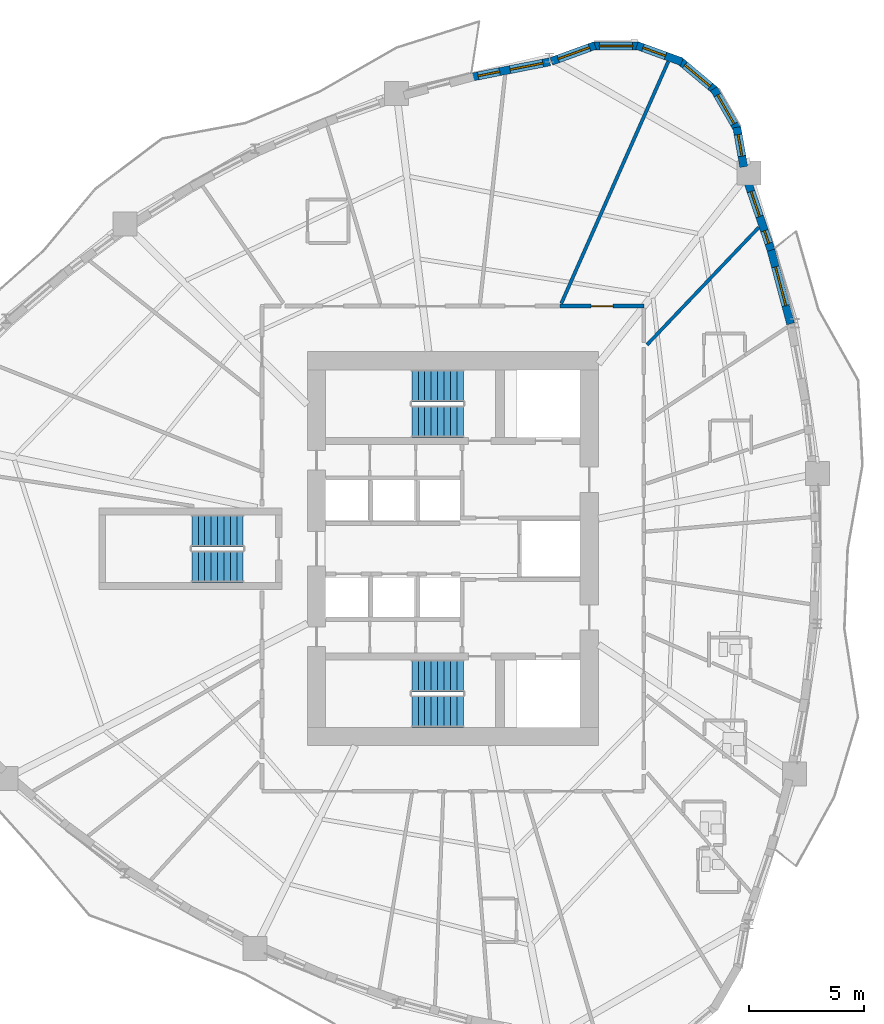
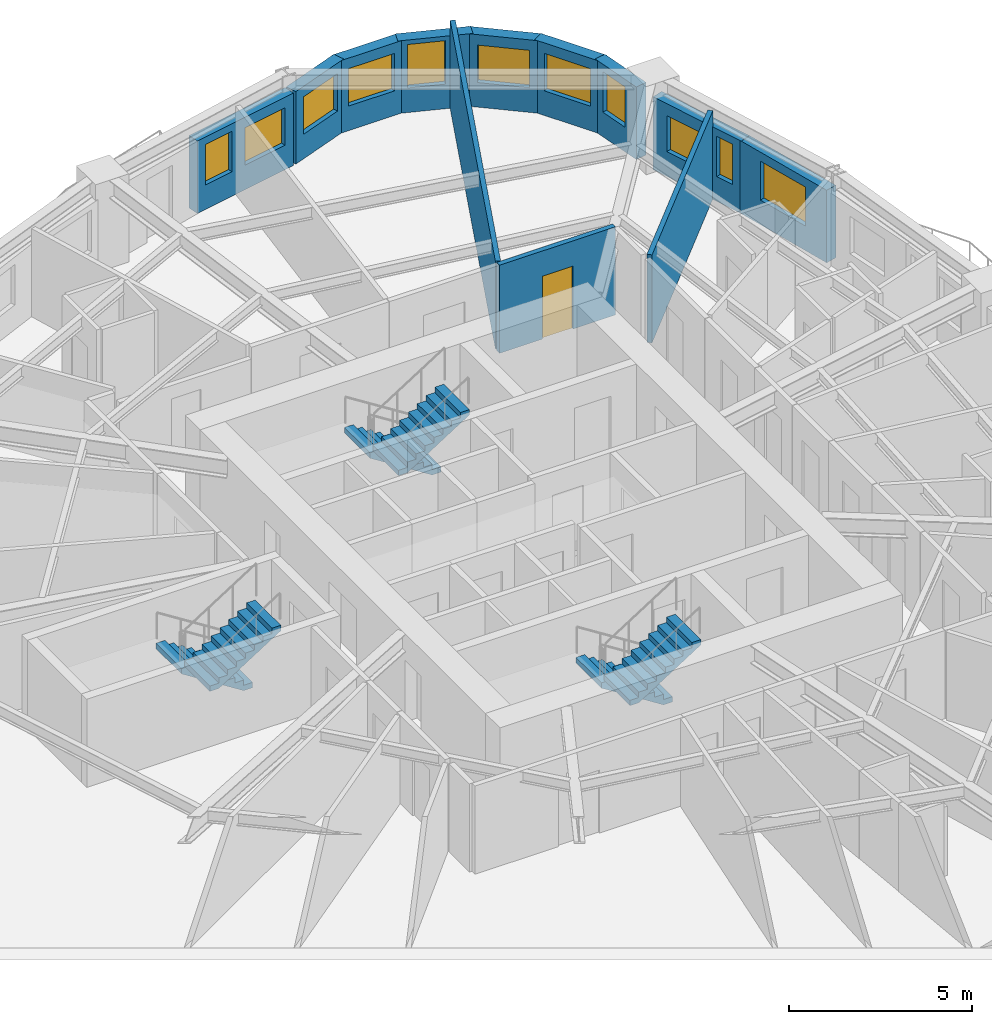
# One storey, part 9 of 13: 12 walls, 11 windows, 6 stair flights, 1 door, 12 openings, 3 elements without a shape of their own.
"""IFC4 building model written with IfcOpenShell, lengths in metres."""

import ifcopenshell
import ifcopenshell.guid

model = None  # the IFC model being written
_history = None  # IfcOwnerHistory: only IFC2X3 demands one
_inside = {}  # id of a spatial element -> (the spatial element, [elements in it])
_under = {}  # id of a project, library or spatial element -> (it, [spatial elements below it])
_declared = {}  # id of a project -> (the project, [libraries it declares])
_typed = {}  # id of a type object -> (the type object, [elements of that type])
_made_of = {}  # id of a material, layer set ... -> (it, [elements and type objects made of it])


def new_model(schema):
    """Start an empty IFC model of exactly this schema.

    Asked for "IFC4X3", IfcOpenShell would pick the latest addendum, in which some entities
    have other attributes; the version numbers below select the first issue.
    IFC2X3 requires an IfcOwnerHistory on every rooted entity: one is made here for all.
    """
    global model, _history
    if schema == "IFC4X3":
        model = ifcopenshell.file(schema_version=(4, 3, 0, 0))
    else:
        model = ifcopenshell.file(schema=schema)
    _inside.clear()
    _under.clear()
    _declared.clear()
    _typed.clear()
    _made_of.clear()
    _history = None
    if model.schema == "IFC2X3":
        org = make("IfcOrganization", Name="unknown")
        user = make(
            "IfcPersonAndOrganization",
            ThePerson=make("IfcPerson", FamilyName="unknown"),
            TheOrganization=org,
        )
        app = make(
            "IfcApplication",
            ApplicationDeveloper=org,
            Version="unknown",
            ApplicationFullName="unknown",
            ApplicationIdentifier="unknown",
        )
        _history = make(
            "IfcOwnerHistory",
            OwningUser=user,
            OwningApplication=app,
            ChangeAction="ADDED",
            CreationDate=0,
        )
    return model


def make(cls, **values):
    """One entity of the class cls with the attributes given. An attribute that is None is left unset."""
    return model.create_entity(
        cls, **{name: value for name, value in values.items() if value is not None}
    )


def rooted(cls, **values):
    """An entity with a GlobalId (a new one), such as an element, a storey or a relation."""
    return make(cls, GlobalId=ifcopenshell.guid.new(), OwnerHistory=_history, **values)


def si_unit(unit_type, name, prefix=None):
    """IfcSIUnit, for example si_unit("LENGTHUNIT", "METRE", prefix="MILLI")."""
    return make("IfcSIUnit", UnitType=unit_type, Prefix=prefix, Name=name)


def assignment(units):
    """IfcUnitAssignment: the units of a project."""
    return None if units is None else make("IfcUnitAssignment", Units=units)


def point(xyz):
    """IfcCartesianPoint."""
    return None if xyz is None else make("IfcCartesianPoint", Coordinates=xyz)


def direction(xyz):
    """IfcDirection."""
    return None if xyz is None else make("IfcDirection", DirectionRatios=xyz)


def frame(location, z_axis=None, x_axis=None):
    """IfcAxis2Placement3D, a coordinate frame: its origin and axes. An axis left out is left unset."""
    return make(
        "IfcAxis2Placement3D",
        Location=point(location),
        Axis=direction(z_axis),
        RefDirection=direction(x_axis),
    )


def frame_2d(location, x_axis=None):
    """IfcAxis2Placement2D, a coordinate frame in the plane: its origin and x axis."""
    return make(
        "IfcAxis2Placement2D", Location=point(location), RefDirection=direction(x_axis)
    )


def origin():
    """The frame at (0, 0, 0) with its axes left unset."""
    return frame((0.0, 0.0, 0.0))


def place(relative_to, where):
    """IfcLocalPlacement: puts the frame where relative to a parent placement (None: the world)."""
    return make(
        "IfcLocalPlacement", PlacementRelTo=relative_to, RelativePlacement=where
    )


def context(
    kind, dimensions, precision=None, world=None, true_north=None, identifier=None
):
    """IfcGeometricRepresentationContext, for example the 3D "Model" context."""
    return make(
        "IfcGeometricRepresentationContext",
        ContextIdentifier=identifier,
        ContextType=kind,
        CoordinateSpaceDimension=dimensions,
        Precision=precision,
        WorldCoordinateSystem=world,
        TrueNorth=true_north,
    )


def subcontext(parent, identifier, kind, view, scale=None):
    """IfcGeometricRepresentationSubContext, for example "Body" below "Model"."""
    return make(
        "IfcGeometricRepresentationSubContext",
        ContextIdentifier=identifier,
        ContextType=kind,
        ParentContext=parent,
        TargetScale=scale,
        TargetView=view,
    )


def project(units=None, contexts=None):
    """IfcProject with its units and contexts."""
    return rooted(
        "IfcProject",
        Name="project",
        RepresentationContexts=contexts,
        UnitsInContext=assignment(units),
    )


def spatial(cls, under=None, at=None, **own):
    """A site, building, storey or space (cls), placed at a placement, below another one or the project."""
    s = rooted(cls, ObjectPlacement=at, **own)
    if under is not None:
        _under.setdefault(under.id(), (under, []))[1].append(s)
    return s


def polyline(points):
    """IfcPolyline through the points."""
    return make("IfcPolyline", Points=[point(p) for p in points])


def profile(cls, at=None, kind="AREA", **sizes):
    """A parametric profile (cls). Its sizes go by their IFC names, for example OverallWidth=200.0."""
    return make(cls, ProfileType=kind, Position=at, **sizes)


def rectangle(**sizes):
    """IfcRectangleProfileDef."""
    return profile("IfcRectangleProfileDef", **sizes)


def outline(outer, holes=None, kind="AREA"):
    """IfcArbitraryClosedProfileDef: a profile drawn as a closed curve; with holes, ...WithVoids."""
    if holes is None:
        return make("IfcArbitraryClosedProfileDef", ProfileType=kind, OuterCurve=outer)
    return make(
        "IfcArbitraryProfileDefWithVoids",
        ProfileType=kind,
        OuterCurve=outer,
        InnerCurves=holes,
    )


def extrude(swept, where, along, depth):
    """IfcExtrudedAreaSolid: the profile swept, set in the frame where, extruded along a direction by depth."""
    return make(
        "IfcExtrudedAreaSolid",
        SweptArea=swept,
        Position=where,
        ExtrudedDirection=direction(along),
        Depth=depth,
    )


def shape(context_of_items, identifier, shape_type, items):
    """IfcShapeRepresentation: the items that make up one representation, for example the "Body"."""
    return make(
        "IfcShapeRepresentation",
        ContextOfItems=context_of_items,
        RepresentationIdentifier=identifier,
        RepresentationType=shape_type,
        Items=items,
    )


def source(mapping_origin, context_of_items, identifier, shape_type, items):
    """IfcRepresentationMap: a shape defined once, which mapped items show again and again."""
    return make(
        "IfcRepresentationMap",
        MappingOrigin=mapping_origin,
        MappedRepresentation=shape(context_of_items, identifier, shape_type, items),
    )


def transform(
    local_origin,
    x_axis=None,
    y_axis=None,
    z_axis=None,
    scale=None,
    scale2=None,
    scale3=None,
    uniform=True,
):
    """IfcCartesianTransformationOperator3D, or its non-uniform kind. x_axis, y_axis, z_axis: its Axis1, 2, 3."""
    if uniform:
        return make(
            "IfcCartesianTransformationOperator3D",
            Axis1=direction(x_axis),
            Axis2=direction(y_axis),
            LocalOrigin=point(local_origin),
            Scale=scale,
            Axis3=direction(z_axis),
        )
    return make(
        "IfcCartesianTransformationOperator3DnonUniform",
        Axis1=direction(x_axis),
        Axis2=direction(y_axis),
        LocalOrigin=point(local_origin),
        Scale=scale,
        Axis3=direction(z_axis),
        Scale2=scale2,
        Scale3=scale3,
    )


def mapped(mapping_source, mapping_target):
    """IfcMappedItem: shows the shape of a source again, moved by a transform."""
    return make(
        "IfcMappedItem", MappingSource=mapping_source, MappingTarget=mapping_target
    )


def material(Name=None, Category=None):
    """IfcMaterial."""
    return make("IfcMaterial", Name=Name, Category=Category)


def layer(
    of_material, thickness, ventilated=None, Name=None, Category=None, Priority=None
):
    """IfcMaterialLayer: one layer of a wall or slab, of a material (None: an air gap)."""
    return make(
        "IfcMaterialLayer",
        Material=of_material,
        LayerThickness=thickness,
        IsVentilated=ventilated,
        Name=Name,
        Category=Category,
        Priority=Priority,
    )


def layer_set(layers, Name=None):
    """IfcMaterialLayerSet."""
    return make("IfcMaterialLayerSet", MaterialLayers=layers, LayerSetName=Name)


def made_of(thing, what):
    """Note that an element or type object is made of a material, layer set ...; save() writes the relation."""
    if what is not None:
        _made_of.setdefault(what.id(), (what, []))[1].append(thing)
    return thing


def type_object(cls, material=None, **own):
    """A type object (cls), such as IfcWallType, which elements share."""
    return made_of(rooted(cls, **own), material)


def element(
    cls,
    number,
    at=None,
    inside=None,
    cuts=None,
    type_object=None,
    material=None,
    context=None,
    identifier="Body",
    shape_type=None,
    held_by="IfcProductDefinitionShape",
    body=None,
    shapes=None,
    **own,
):
    """One element of the class cls, such as IfcWall. Its Tag is "e" and its number.

    at: its placement. inside: the storey or other place that contains it. cuts: it is an
    opening in that element (IfcRelVoidsElement). A single representation is given by context,
    identifier, shape_type and body (its items); several are given by shapes. held_by: the class
    of the entity that holds the representations. save() writes the other relations.
    """
    e = rooted(cls, Tag="e%d" % number, ObjectPlacement=at, **own)
    if body is not None:
        shapes = [shape(context, identifier, shape_type, body)]
    if shapes is not None:
        e.Representation = make(held_by, Representations=shapes)
    if inside is not None:
        _inside.setdefault(inside.id(), (inside, []))[1].append(e)
    if cuts is not None:
        rooted(
            "IfcRelVoidsElement", RelatingBuildingElement=cuts, RelatedOpeningElement=e
        )
    if type_object is not None:
        _typed.setdefault(type_object.id(), (type_object, []))[1].append(e)
    return made_of(e, material)


def fill(opening, filler):
    """IfcRelFillsElement: the door or window that sits in an opening."""
    return rooted(
        "IfcRelFillsElement",
        RelatingOpeningElement=opening,
        RelatedBuildingElement=filler,
    )


def aggregate(whole, parts):
    """IfcRelAggregates: a whole, such as a stair, and the parts it consists of."""
    return rooted("IfcRelAggregates", RelatingObject=whole, RelatedObjects=parts)


def save(model, path):
    """Write the relations noted so far, then the file.

    IfcRelAggregates (storeys below a building ...), IfcRelContainedInSpatialStructure (elements
    in a storey), IfcRelDefinesByType, IfcRelAssociatesMaterial and IfcRelDeclares: one each for
    every whole, place, type object, material and project.
    """
    for whole, parts in _under.values():
        aggregate(whole, parts)
    for where, things in _inside.values():
        rooted(
            "IfcRelContainedInSpatialStructure",
            RelatedElements=things,
            RelatingStructure=where,
        )
    for kind, things in _typed.values():
        rooted("IfcRelDefinesByType", RelatedObjects=things, RelatingType=kind)
    for what, things in _made_of.values():
        rooted("IfcRelAssociatesMaterial", RelatedObjects=things, RelatingMaterial=what)
    for by, libraries in _declared.values():
        rooted("IfcRelDeclares", RelatingContext=by, RelatedDefinitions=libraries)
    model.write(path)


model = new_model("IFC4")

# Units and contexts
model_context = context("Model", 3, precision=1e-05, world=origin(), true_north=direction((0.0, 1.0)))
body_context = subcontext(model_context, "Body", "Model", "MODEL_VIEW")
ifc_project = project(units=[si_unit("LENGTHUNIT", "METRE"), si_unit("AREAUNIT", "SQUARE_METRE"), si_unit("VOLUMEUNIT", "CUBIC_METRE"), si_unit("PLANEANGLEUNIT", "RADIAN"), si_unit("MASSUNIT", "GRAM", prefix="KILO")], contexts=[model_context])

# Site, building, storey
site_placement = place(None, origin())
site = spatial("IfcSite", under=ifc_project, at=site_placement, CompositionType="ELEMENT")
building_placement = place(site_placement, origin())
building = spatial("IfcBuilding", under=site, at=building_placement, Name="Qafzar Sky-Pleat Residences", CompositionType="ELEMENT")
storey_placement = place(building_placement, frame((0.0, 0.0, 55.800048828125)))
storey = spatial("IfcBuildingStorey", under=building, at=storey_placement, Name="L16", CompositionType="ELEMENT", Elevation=55.800048828125)

# Wall, opening, door
ifc_material_1 = material(Name="Acoustic gypsum plasterboard partition", Category="gypsum")
ifc_layer_1 = layer(ifc_material_1, 0.159912109375)
ifc_layer_set_1 = layer_set([ifc_layer_1], Name="Acoustic gypsum plasterboard partition")
wall_type_1 = type_object("IfcWallType", Name="PART-COR-160", PredefinedType="PARTITIONING", material=ifc_layer_set_1)
wall_1_placement = place(storey_placement, frame((35.010986328125, 36.580078125, 0.0), z_axis=(0.0, 0.0, 1.0), x_axis=(1.0, 0.0, 0.0)))
wall_1 = element("IfcWall", 1, at=wall_1_placement, inside=storey, type_object=wall_type_1, Name="L16 Partition Wall PART-L16-PW-005", PredefinedType="PARTITIONING", context=body_context, shape_type="SweptSolid", body=[
    extrude(rectangle(XDim=3.6689453125, YDim=0.159912109375, at=frame_2d((1.83447265625, 0.0))), origin(), (0.0, 0.0, 1.0), 2.93994140625),
])
opening_1_placement = place(wall_1_placement, frame((1.362548828125, 0.0, 0.0)))
opening_1 = element("IfcOpeningElement", 2, at=opening_1_placement, cuts=wall_1, Name="Opening ID-06", PredefinedType="OPENING", context=body_context, shape_type="SweptSolid", body=[
    extrude(rectangle(XDim=0.9599609375, YDim=2.10009765625, at=frame_2d((0.47998046875, 1.050048828125))), frame((0.0, 0.08984375, 0.0), z_axis=(0.0, -1.0, 0.0), x_axis=(1.0, 0.0, 0.0)), (0.0, 0.0, 1.0), 0.179931640625),
])
ifc_material_2 = material(Name="Timber-faced fire door", Category="wood")
door_type = type_object("IfcDoorType", Name="DR-STD-960", OperationType="NOTDEFINED", PredefinedType="DOOR", material=ifc_material_2)
shared_shape_1 = source(origin(), body_context, "Body", "SweptSolid", [
    extrude(rectangle(XDim=0.9599609375, YDim=2.10009765625, at=frame_2d((0.47998046875, 1.050048828125))), frame((0.0, 0.02490234375, 0.0), z_axis=(0.0, -1.0, 0.0), x_axis=(1.0, 0.0, 0.0)), (0.0, 0.0, 1.0), 0.050048828125),
])
door_placement = place(opening_1_placement, origin())
door = element("IfcDoor", 3, at=door_placement, inside=storey, type_object=door_type, Name="L16 Scholar Co-Working Workspace Door", OperationType="SINGLE_SWING_RIGHT", OverallHeight=2.10009765625, OverallWidth=0.9599609375, PredefinedType="DOOR", context=body_context, shape_type="MappedRepresentation", body=[
    mapped(shared_shape_1, transform((0.0, 0.0, 0.0), x_axis=(1.0, 0.0, 0.0), y_axis=(0.0, 1.0, 0.0), z_axis=(0.0, 0.0, 1.0), scale=1.0)),
])
fill(opening_1, door)

# Walls
ifc_layer_2 = layer(ifc_material_1, 0.14501953125)
ifc_layer_set_2 = layer_set([ifc_layer_2], Name="Acoustic gypsum plasterboard partition")
wall_type_2 = type_object("IfcWallType", Name="PART-UNIT-145", PredefinedType="PARTITIONING", material=ifc_layer_set_2)
wall_2_placement = place(storey_placement, frame((35.07861328125, 36.696533203125, 0.0), z_axis=(0.0, 0.0, 1.0), x_axis=(0.404349483928, 0.914604556542, 0.0)))
element("IfcWall", 4, at=wall_2_placement, inside=storey, type_object=wall_type_2, Name="L16 Partition Wall PART-L16-PW-034", PredefinedType="PARTITIONING", context=body_context, shape_type="SweptSolid", body=[
    extrude(rectangle(XDim=11.540283203125, YDim=0.14501953125, at=frame_2d((5.77001953125, 0.0))), origin(), (0.0, 0.0, 1.0), 2.93994140625),
])
wall_3_placement = place(storey_placement, frame((38.818115234375, 34.892822265625, 0.0), z_axis=(0.0, 0.0, 1.0), x_axis=(0.68961378572, 0.724177344678, 0.0)))
element("IfcWall", 5, at=wall_3_placement, inside=storey, type_object=wall_type_2, Name="L16 Partition Wall PART-L16-PW-046", PredefinedType="PARTITIONING", context=body_context, shape_type="SweptSolid", body=[
    extrude(rectangle(XDim=7.070556640625, YDim=0.14501953125, at=frame_2d((3.53515625, 0.0))), origin(), (0.0, 0.0, 1.0), 2.93994140625),
])

# Wall, opening, window
ifc_material_3 = material(Name="Precast concrete C40/50 with honed Riyadh limestone", Category="concrete")
ifc_layer_3 = layer(ifc_material_3, 0.35009765625)
ifc_layer_set_3 = layer_set([ifc_layer_3], Name="Precast concrete C40/50 with honed Riyadh limestone")
wall_type_3 = type_object("IfcWallType", Name="WALL-EXT-350", PredefinedType="SOLIDWALL", material=ifc_layer_set_3)
wall_4_placement = place(storey_placement, frame((45.081298828125, 35.80810546875, 0.0), z_axis=(0.0, 0.0, 1.0), x_axis=(-0.257114470429, 0.966380954436, 0.0)))
wall_4 = element("IfcWall", 6, at=wall_4_placement, inside=storey, type_object=wall_type_3, Name="L16 Limestone Facade Wall 31", PredefinedType="SOLIDWALL", context=body_context, shape_type="SweptSolid", body=[
    extrude(rectangle(XDim=3.409912109375, YDim=0.35009765625, at=frame_2d((1.705078125, 0.0))), origin(), (0.0, 0.0, 1.0), 2.419921875),
])
opening_2_placement = place(wall_4_placement, frame((0.820068359375, 0.0, 0.820068359375)))
opening_2 = element("IfcOpeningElement", 7, at=opening_2_placement, cuts=wall_4, Name="Opening WN-14", PredefinedType="OPENING", context=body_context, shape_type="SweptSolid", body=[
    extrude(rectangle(XDim=1.75, YDim=1.300048828125, at=frame_2d((0.875, 0.64990234375))), frame((0.0, 0.18505859375, 0.0), z_axis=(0.0, -1.0, 0.0), x_axis=(1.0, 0.0, 0.0)), (0.0, 0.0, 1.0), 0.3701171875),
])
ifc_material_4 = material(Name="Solar-control low-E glass in bronze aluminium frame", Category="glass")
window_type_1 = type_object("IfcWindowType", Name="WIN-14", PartitioningType="DOUBLE_PANEL_VERTICAL", PredefinedType="WINDOW", material=ifc_material_4)
shared_shape_2 = source(origin(), body_context, "Body", "SweptSolid", [
    extrude(rectangle(XDim=1.75, YDim=1.300048828125, at=frame_2d((0.875, 0.64990234375))), frame((0.0, 0.030029296875, 0.0), z_axis=(0.0, -1.0, 0.0), x_axis=(1.0, 0.0, 0.0)), (0.0, 0.0, 1.0), 0.06005859375),
])
window_1_placement = place(opening_2_placement, origin())
window_1 = element("IfcWindow", 8, at=window_1_placement, inside=storey, type_object=window_type_1, Name="L16 Punched Facade Window 31", OverallHeight=1.300048828125, OverallWidth=1.75, PartitioningType="SINGLE_PANEL", PredefinedType="WINDOW", context=body_context, shape_type="MappedRepresentation", body=[
    mapped(shared_shape_2, transform((0.0, 0.0, 0.0), x_axis=(1.0, 0.0, 0.0), y_axis=(0.0, 1.0, 0.0), z_axis=(0.0, 0.0, 1.0), scale=1.0)),
])
fill(opening_2, window_1)

# Wall, openings, windows
wall_5_placement = place(storey_placement, frame((44.230224609375, 39.01904296875, 0.0), z_axis=(0.0, 0.0, 1.0), x_axis=(-0.323560153501, 0.94620760252, 0.0)))
wall_5 = element("IfcWall", 9, at=wall_5_placement, inside=storey, type_object=wall_type_3, Name="L16 Limestone Facade Wall 32", PredefinedType="SOLIDWALL", context=body_context, shape_type="SweptSolid", body=[
    extrude(rectangle(XDim=3.202392578125, YDim=0.35009765625, at=frame_2d((1.60107421875, 0.0))), origin(), (0.0, 0.0, 1.0), 2.419921875),
])
opening_3_placement = place(wall_5_placement, frame((0.3125, 0.0, 0.820068359375)))
opening_3 = element("IfcOpeningElement", 10, at=opening_3_placement, cuts=wall_5, Name="Opening WN-17", PredefinedType="OPENING", context=body_context, shape_type="SweptSolid", body=[
    extrude(rectangle(XDim=0.580078125, YDim=1.35009765625, at=frame_2d((0.2900390625, 0.675048828125))), frame((0.0, 0.18505859375, 0.0), z_axis=(0.0, -1.0, 0.0), x_axis=(1.0, 0.0, 0.0)), (0.0, 0.0, 1.0), 0.3701171875),
])
opening_4_placement = place(wall_5_placement, frame((1.5537109375, 0.0, 0.820068359375)))
opening_4 = element("IfcOpeningElement", 11, at=opening_4_placement, cuts=wall_5, Name="Opening WN-16", PredefinedType="OPENING", context=body_context, shape_type="SweptSolid", body=[
    extrude(rectangle(XDim=1.14990234375, YDim=1.199951171875, at=frame_2d((0.574951171875, 0.60009765625))), frame((0.0, 0.18505859375, 0.0), z_axis=(0.0, -1.0, 0.0), x_axis=(1.0, 0.0, 0.0)), (0.0, 0.0, 1.0), 0.3701171875),
])
window_type_2 = type_object("IfcWindowType", Name="WIN-17", PartitioningType="SINGLE_PANEL", PredefinedType="WINDOW", material=ifc_material_4)
shared_shape_3 = source(origin(), body_context, "Body", "SweptSolid", [
    extrude(rectangle(XDim=0.580078125, YDim=1.35009765625, at=frame_2d((0.2900390625, 0.675048828125))), frame((0.0, 0.030029296875, 0.0), z_axis=(0.0, -1.0, 0.0), x_axis=(1.0, 0.0, 0.0)), (0.0, 0.0, 1.0), 0.06005859375),
])
window_2_placement = place(opening_3_placement, origin())
window_2 = element("IfcWindow", 12, at=window_2_placement, inside=storey, type_object=window_type_2, Name="L16 Punched Facade Window 32", OverallHeight=1.35009765625, OverallWidth=0.580078125, PartitioningType="SINGLE_PANEL", PredefinedType="WINDOW", context=body_context, shape_type="MappedRepresentation", body=[
    mapped(shared_shape_3, transform((0.0, 0.0, 0.0), x_axis=(1.0, 0.0, 0.0), y_axis=(0.0, 1.0, 0.0), z_axis=(0.0, 0.0, 1.0), scale=1.0)),
])
fill(opening_3, window_2)
window_type_3 = type_object("IfcWindowType", Name="WIN-16", PartitioningType="SINGLE_PANEL", PredefinedType="WINDOW", material=ifc_material_4)
shared_shape_4 = source(origin(), body_context, "Body", "SweptSolid", [
    extrude(rectangle(XDim=1.14990234375, YDim=1.199951171875, at=frame_2d((0.574951171875, 0.60009765625))), frame((0.0, 0.030029296875, 0.0), z_axis=(0.0, -1.0, 0.0), x_axis=(1.0, 0.0, 0.0)), (0.0, 0.0, 1.0), 0.06005859375),
])
window_3_placement = place(opening_4_placement, origin())
window_3 = element("IfcWindow", 13, at=window_3_placement, inside=storey, type_object=window_type_3, Name="L16 Punched Facade Window 32-2", OverallHeight=1.199951171875, OverallWidth=1.14990234375, PartitioningType="SINGLE_PANEL", PredefinedType="WINDOW", context=body_context, shape_type="MappedRepresentation", body=[
    mapped(shared_shape_4, transform((0.0, 0.0, 0.0), x_axis=(1.0, 0.0, 0.0), y_axis=(0.0, 1.0, 0.0), z_axis=(0.0, 0.0, 1.0), scale=1.0)),
])
fill(opening_4, window_3)

# Wall, opening, window
wall_6_placement = place(storey_placement, frame((43.0380859375, 42.654541015625, 0.0), z_axis=(0.0, 0.0, 1.0), x_axis=(-0.173610462023, 0.984814402553, 0.0)))
wall_6 = element("IfcWall", 14, at=wall_6_placement, inside=storey, type_object=wall_type_3, Name="L16 Limestone Facade Wall 33", PredefinedType="SOLIDWALL", context=body_context, shape_type="SweptSolid", body=[
    extrude(rectangle(XDim=1.752197265625, YDim=0.35009765625, at=frame_2d((0.8759765625, 0.0))), origin(), (0.0, 0.0, 1.0), 2.419921875),
])
opening_5_placement = place(wall_6_placement, frame((0.476318359375, 0.0, 0.820068359375)))
opening_5 = element("IfcOpeningElement", 15, at=opening_5_placement, cuts=wall_6, Name="Opening WN-12", PredefinedType="OPENING", context=body_context, shape_type="SweptSolid", body=[
    extrude(rectangle(XDim=0.949951171875, YDim=1.35009765625, at=frame_2d((0.47509765625, 0.675048828125))), frame((0.0, 0.18505859375, 0.0), z_axis=(0.0, -1.0, 0.0), x_axis=(1.0, 0.0, 0.0)), (0.0, 0.0, 1.0), 0.3701171875),
])
window_type_4 = type_object("IfcWindowType", Name="WIN-12", PartitioningType="SINGLE_PANEL", PredefinedType="WINDOW", material=ifc_material_4)
shared_shape_5 = source(origin(), body_context, "Body", "SweptSolid", [
    extrude(rectangle(XDim=0.949951171875, YDim=1.35009765625, at=frame_2d((0.47509765625, 0.675048828125))), frame((0.0, 0.030029296875, 0.0), z_axis=(0.0, -1.0, 0.0), x_axis=(1.0, 0.0, 0.0)), (0.0, 0.0, 1.0), 0.06005859375),
])
window_4_placement = place(opening_5_placement, origin())
window_4 = element("IfcWindow", 16, at=window_4_placement, inside=storey, type_object=window_type_4, Name="L16 Punched Facade Window 33", OverallHeight=1.35009765625, OverallWidth=0.949951171875, PartitioningType="SINGLE_PANEL", PredefinedType="WINDOW", context=body_context, shape_type="MappedRepresentation", body=[
    mapped(shared_shape_5, transform((0.0, 0.0, 0.0), x_axis=(1.0, 0.0, 0.0), y_axis=(0.0, 1.0, 0.0), z_axis=(0.0, 0.0, 1.0), scale=1.0)),
])
fill(opening_5, window_4)

wall_7_placement = place(storey_placement, frame((42.780029296875, 44.252685546875, 0.0), z_axis=(0.0, 0.0, 1.0), x_axis=(-0.49990781971, 0.866078617559, 0.0)))
wall_7 = element("IfcWall", 17, at=wall_7_placement, inside=storey, type_object=wall_type_3, Name="L16 Limestone Facade Wall 34", PredefinedType="SOLIDWALL", context=body_context, shape_type="SweptSolid", body=[
    extrude(rectangle(XDim=2.09033203125, YDim=0.35009765625, at=frame_2d((1.045166015625, 0.0))), origin(), (0.0, 0.0, 1.0), 2.419921875),
])
opening_6_placement = place(wall_7_placement, frame((0.3203125, 0.0, 0.820068359375)))
opening_6 = element("IfcOpeningElement", 18, at=opening_6_placement, cuts=wall_7, Name="Opening WN-15", PredefinedType="OPENING", context=body_context, shape_type="SweptSolid", body=[
    extrude(rectangle(XDim=1.449951171875, YDim=1.25, at=frame_2d((0.72509765625, 0.625))), frame((0.0, 0.18505859375, 0.0), z_axis=(0.0, -1.0, 0.0), x_axis=(1.0, 0.0, 0.0)), (0.0, 0.0, 1.0), 0.3701171875),
])
window_type_5 = type_object("IfcWindowType", Name="WIN-15", PartitioningType="SINGLE_PANEL", PredefinedType="WINDOW", material=ifc_material_4)
shared_shape_6 = source(origin(), body_context, "Body", "SweptSolid", [
    extrude(rectangle(XDim=1.449951171875, YDim=1.25, at=frame_2d((0.72509765625, 0.625))), frame((0.0, 0.030029296875, 0.0), z_axis=(0.0, -1.0, 0.0), x_axis=(1.0, 0.0, 0.0)), (0.0, 0.0, 1.0), 0.06005859375),
])
window_5_placement = place(opening_6_placement, origin())
window_5 = element("IfcWindow", 19, at=window_5_placement, inside=storey, type_object=window_type_5, Name="L16 Punched Facade Window 34", OverallHeight=1.25, OverallWidth=1.449951171875, PartitioningType="SINGLE_PANEL", PredefinedType="WINDOW", context=body_context, shape_type="MappedRepresentation", body=[
    mapped(shared_shape_6, transform((0.0, 0.0, 0.0), x_axis=(1.0, 0.0, 0.0), y_axis=(0.0, 1.0, 0.0), z_axis=(0.0, 0.0, 1.0), scale=1.0)),
])
fill(opening_6, window_5)

wall_8_placement = place(storey_placement, frame((41.822265625, 45.959228515625, 0.0), z_axis=(0.0, 0.0, 1.0), x_axis=(-0.766024572719, 0.642811289563, 0.0)))
wall_8 = element("IfcWall", 20, at=wall_8_placement, inside=storey, type_object=wall_type_3, Name="L16 Limestone Facade Wall 35", PredefinedType="SOLIDWALL", context=body_context, shape_type="SweptSolid", body=[
    extrude(rectangle(XDim=2.09033203125, YDim=0.35009765625, at=frame_2d((1.045166015625, 0.0))), origin(), (0.0, 0.0, 1.0), 2.419921875),
])
opening_7_placement = place(wall_8_placement, frame((0.3203125, 0.0, 0.820068359375)))
opening_7 = element("IfcOpeningElement", 21, at=opening_7_placement, cuts=wall_8, Name="Opening WN-15", PredefinedType="OPENING", context=body_context, shape_type="SweptSolid", body=[
    extrude(rectangle(XDim=1.449951171875, YDim=1.25, at=frame_2d((0.72509765625, 0.625))), frame((0.0, 0.18505859375, 0.0), z_axis=(0.0, -1.0, 0.0), x_axis=(1.0, 0.0, 0.0)), (0.0, 0.0, 1.0), 0.3701171875),
])
window_6_placement = place(opening_7_placement, origin())
window_6 = element("IfcWindow", 22, at=window_6_placement, inside=storey, type_object=window_type_5, Name="L16 Punched Facade Window 35", OverallHeight=1.25, OverallWidth=1.449951171875, PartitioningType="SINGLE_PANEL", PredefinedType="WINDOW", context=body_context, shape_type="MappedRepresentation", body=[
    mapped(shared_shape_6, transform((0.0, 0.0, 0.0), x_axis=(1.0, 0.0, 0.0), y_axis=(0.0, 1.0, 0.0), z_axis=(0.0, 0.0, 1.0), scale=1.0)),
])
fill(opening_7, window_6)

wall_9_placement = place(storey_placement, frame((40.33837890625, 47.235107421875, 0.0), z_axis=(0.0, 0.0, 1.0), x_axis=(-0.939711556618, 0.341968113072, 0.0)))
wall_9 = element("IfcWall", 23, at=wall_9_placement, inside=storey, type_object=wall_type_3, Name="L16 Limestone Facade Wall 36", PredefinedType="SOLIDWALL", context=body_context, shape_type="SweptSolid", body=[
    extrude(rectangle(XDim=2.09033203125, YDim=0.35009765625, at=frame_2d((1.045166015625, 0.0))), origin(), (0.0, 0.0, 1.0), 2.419921875),
])
opening_8_placement = place(wall_9_placement, frame((0.760986328125, 0.0, 0.820068359375)))
opening_8 = element("IfcOpeningElement", 24, at=opening_8_placement, cuts=wall_9, Name="Opening WN-06", PredefinedType="OPENING", context=body_context, shape_type="SweptSolid", body=[
    extrude(rectangle(XDim=1.050048828125, YDim=1.449951171875, at=frame_2d((0.52490234375, 0.72509765625))), frame((0.0, 0.18505859375, 0.0), z_axis=(0.0, -1.0, 0.0), x_axis=(1.0, 0.0, 0.0)), (0.0, 0.0, 1.0), 0.3701171875),
])
window_type_6 = type_object("IfcWindowType", Name="WIN-06", PartitioningType="SINGLE_PANEL", PredefinedType="WINDOW", material=ifc_material_4)
shared_shape_7 = source(origin(), body_context, "Body", "SweptSolid", [
    extrude(rectangle(XDim=1.050048828125, YDim=1.449951171875, at=frame_2d((0.52490234375, 0.72509765625))), frame((0.0, 0.030029296875, 0.0), z_axis=(0.0, -1.0, 0.0), x_axis=(1.0, 0.0, 0.0)), (0.0, 0.0, 1.0), 0.06005859375),
])
window_7_placement = place(opening_8_placement, origin())
window_7 = element("IfcWindow", 25, at=window_7_placement, inside=storey, type_object=window_type_6, Name="L16 Punched Facade Window 36-2", OverallHeight=1.449951171875, OverallWidth=1.050048828125, PartitioningType="SINGLE_PANEL", PredefinedType="WINDOW", context=body_context, shape_type="MappedRepresentation", body=[
    mapped(shared_shape_7, transform((0.0, 0.0, 0.0), x_axis=(1.0, 0.0, 0.0), y_axis=(0.0, 1.0, 0.0), z_axis=(0.0, 0.0, 1.0), scale=1.0)),
])
fill(opening_8, window_7)

wall_10_placement = place(storey_placement, frame((38.5078125, 47.926513671875, 0.0), z_axis=(0.0, 0.0, 1.0), x_axis=(-1.0, 0.0, 0.0)))
wall_10 = element("IfcWall", 26, at=wall_10_placement, inside=storey, type_object=wall_type_3, Name="L16 Limestone Facade Wall 37", PredefinedType="SOLIDWALL", context=body_context, shape_type="SweptSolid", body=[
    extrude(rectangle(XDim=2.090576171875, YDim=0.35009765625, at=frame_2d((1.04541015625, 0.0))), origin(), (0.0, 0.0, 1.0), 2.419921875),
])
opening_9_placement = place(wall_10_placement, frame((0.3203125, 0.0, 0.820068359375)))
opening_9 = element("IfcOpeningElement", 27, at=opening_9_placement, cuts=wall_10, Name="Opening WN-15", PredefinedType="OPENING", context=body_context, shape_type="SweptSolid", body=[
    extrude(rectangle(XDim=1.449951171875, YDim=1.25, at=frame_2d((0.72509765625, 0.625))), frame((0.0, 0.18505859375, 0.0), z_axis=(0.0, -1.0, 0.0), x_axis=(1.0, 0.0, 0.0)), (0.0, 0.0, 1.0), 0.3701171875),
])
window_8_placement = place(opening_9_placement, origin())
window_8 = element("IfcWindow", 28, at=window_8_placement, inside=storey, type_object=window_type_5, Name="L16 Punched Facade Window 37", OverallHeight=1.25, OverallWidth=1.449951171875, PartitioningType="SINGLE_PANEL", PredefinedType="WINDOW", context=body_context, shape_type="MappedRepresentation", body=[
    mapped(shared_shape_6, transform((0.0, 0.0, 0.0), x_axis=(1.0, 0.0, 0.0), y_axis=(0.0, 1.0, 0.0), z_axis=(0.0, 0.0, 1.0), scale=1.0)),
])
fill(opening_9, window_8)

wall_11_placement = place(storey_placement, frame((36.55078125, 47.949951171875, 0.0), z_axis=(0.0, 0.0, 1.0), x_axis=(-0.939691662178, -0.342022777067, 0.0)))
wall_11 = element("IfcWall", 29, at=wall_11_placement, inside=storey, type_object=wall_type_3, Name="L16 Limestone Facade Wall 38", PredefinedType="SOLIDWALL", context=body_context, shape_type="SweptSolid", body=[
    extrude(rectangle(XDim=2.0322265625, YDim=0.35009765625, at=frame_2d((1.01611328125, 0.0))), origin(), (0.0, 0.0, 1.0), 2.419921875),
])
opening_10_placement = place(wall_11_placement, frame((0.260986328125, 0.0, 0.820068359375)))
opening_10 = element("IfcOpeningElement", 30, at=opening_10_placement, cuts=wall_11, Name="Opening WN-15", PredefinedType="OPENING", context=body_context, shape_type="SweptSolid", body=[
    extrude(rectangle(XDim=1.449951171875, YDim=1.25, at=frame_2d((0.72509765625, 0.625))), frame((0.0, 0.18505859375, 0.0), z_axis=(0.0, -1.0, 0.0), x_axis=(1.0, 0.0, 0.0)), (0.0, 0.0, 1.0), 0.3701171875),
])
window_9_placement = place(opening_10_placement, origin())
window_9 = element("IfcWindow", 31, at=window_9_placement, inside=storey, type_object=window_type_5, Name="L16 Punched Facade Window 38", OverallHeight=1.25, OverallWidth=1.449951171875, PartitioningType="SINGLE_PANEL", PredefinedType="WINDOW", context=body_context, shape_type="MappedRepresentation", body=[
    mapped(shared_shape_6, transform((0.0, 0.0, 0.0), x_axis=(1.0, 0.0, 0.0), y_axis=(0.0, 1.0, 0.0), z_axis=(0.0, 0.0, 1.0), scale=1.0)),
])
fill(opening_10, window_9)

# Wall, openings, windows
wall_12_placement = place(storey_placement, frame((34.57666015625, 47.23681640625, 0.0), z_axis=(0.0, 0.0, 1.0), x_axis=(-0.981238400755, -0.192798342532, 0.0)))
wall_12 = element("IfcWall", 32, at=wall_12_placement, inside=storey, type_object=wall_type_3, Name="L16 Limestone Facade Wall 39", PredefinedType="SOLIDWALL", context=body_context, shape_type="SweptSolid", body=[
    extrude(rectangle(XDim=3.482421875, YDim=0.35009765625, at=frame_2d((1.7412109375, 0.0))), origin(), (0.0, 0.0, 1.0), 2.419921875),
])
opening_11_placement = place(wall_12_placement, frame((0.31298828125, 0.0, 0.820068359375)))
opening_11 = element("IfcOpeningElement", 33, at=opening_11_placement, cuts=wall_12, Name="Opening WN-15", PredefinedType="OPENING", context=body_context, shape_type="SweptSolid", body=[
    extrude(rectangle(XDim=1.449951171875, YDim=1.25, at=frame_2d((0.72509765625, 0.625))), frame((0.0, 0.18505859375, 0.0), z_axis=(0.0, -1.0, 0.0), x_axis=(1.0, 0.0, 0.0)), (0.0, 0.0, 1.0), 0.3701171875),
])
opening_12_placement = place(wall_12_placement, frame((2.234375, 0.0, 0.820068359375)))
opening_12 = element("IfcOpeningElement", 34, at=opening_12_placement, cuts=wall_12, Name="Opening WN-12", PredefinedType="OPENING", context=body_context, shape_type="SweptSolid", body=[
    extrude(rectangle(XDim=0.949951171875, YDim=1.35009765625, at=frame_2d((0.47509765625, 0.675048828125))), frame((0.0, 0.18505859375, 0.0), z_axis=(0.0, -1.0, 0.0), x_axis=(1.0, 0.0, 0.0)), (0.0, 0.0, 1.0), 0.3701171875),
])
window_10_placement = place(opening_12_placement, origin())
window_10 = element("IfcWindow", 35, at=window_10_placement, inside=storey, type_object=window_type_4, Name="L16 Punched Facade Window 39-2", OverallHeight=1.35009765625, OverallWidth=0.949951171875, PartitioningType="SINGLE_PANEL", PredefinedType="WINDOW", context=body_context, shape_type="MappedRepresentation", body=[
    mapped(shared_shape_5, transform((0.0, 0.0, 0.0), x_axis=(1.0, 0.0, 0.0), y_axis=(0.0, 1.0, 0.0), z_axis=(0.0, 0.0, 1.0), scale=1.0)),
])
fill(opening_12, window_10)
window_11_placement = place(opening_11_placement, origin())
window_11 = element("IfcWindow", 36, at=window_11_placement, inside=storey, type_object=window_type_5, Name="L16 Punched Facade Window 39", OverallHeight=1.25, OverallWidth=1.449951171875, PartitioningType="SINGLE_PANEL", PredefinedType="WINDOW", context=body_context, shape_type="MappedRepresentation", body=[
    mapped(shared_shape_6, transform((0.0, 0.0, 0.0), x_axis=(1.0, 0.0, 0.0), y_axis=(0.0, 1.0, 0.0), z_axis=(0.0, 0.0, 1.0), scale=1.0)),
])
fill(opening_11, window_11)

# Stair, stair flights
ifc_material_5 = material(Name="Concrete C40/50", Category="concrete")
stair_type = type_object("IfcStairType", Name="STAIR-H320", PredefinedType="HALF_TURN_STAIR", material=ifc_material_5)
stair_1_placement = place(storey_placement, origin())
stair_1 = element("IfcStair", 37, at=stair_1_placement, inside=storey, type_object=stair_type, Name="L16 Protected Exit Stair ST1", PredefinedType="HALF_TURN_STAIR")
stair_flight_type = type_object("IfcStairFlightType", Name="FLIGHT-H320", PredefinedType="STRAIGHT", material=ifc_material_5)
shared_shape_8 = source(origin(), body_context, "Body", "SweptSolid", [
    extrude(outline(polyline([(0.0, 0.0), (0.0, 0.177734375), (0.280029296875, 0.177734375), (0.280029296875, 0.35546875), (0.56005859375, 0.35546875), (0.56005859375, 0.533447265625), (0.840087890625, 0.533447265625), (0.840087890625, 0.711181640625), (1.1201171875, 0.711181640625), (1.1201171875, 0.888916015625), (1.39990234375, 0.888916015625), (1.39990234375, 1.066650390625), (1.679931640625, 1.066650390625), (1.679931640625, 1.244384765625), (1.9599609375, 1.244384765625), (1.9599609375, 1.422119140625), (2.239990234375, 1.422119140625), (2.239990234375, 1.60009765625), (2.239990234375, 1.24462890625), (0.27978515625, 0.0), (0.0, 0.0)])), frame((0.0, 0.699951171875, 0.0), z_axis=(0.0, -1.0, 0.0), x_axis=(1.0, 0.0, 0.0)), (0.0, 0.0, 1.0), 1.39990234375),
])
stair_flight_1_placement = place(storey_placement, frame((30.800048828125, 20.449951171875, 0.0), z_axis=(0.0, 0.0, 1.0), x_axis=(-1.0, 0.0, 0.0)))
stair_flight_1 = element("IfcStairFlight", 38, at=stair_flight_1_placement, type_object=stair_flight_type, Name="ST1 flight 1", NumberOfRisers=9, NumberOfTreads=8, PredefinedType="STRAIGHT", RiserHeight=0.177777778, TreadLength=0.28, context=body_context, shape_type="MappedRepresentation", body=[
    mapped(shared_shape_8, transform((0.0, 0.0, 0.0), x_axis=(1.0, 0.0, 0.0), y_axis=(0.0, 1.0, 0.0), z_axis=(0.0, 0.0, 1.0), scale=1.0)),
])
stair_flight_2_placement = place(storey_placement, frame((28.56005859375, 18.89990234375, 1.599853515625), z_axis=(0.0, 0.0, 1.0), x_axis=(1.0, 0.0, 0.0)))
stair_flight_2 = element("IfcStairFlight", 39, at=stair_flight_2_placement, type_object=stair_flight_type, Name="ST1 flight 2", NumberOfRisers=9, NumberOfTreads=8, PredefinedType="STRAIGHT", RiserHeight=0.177777778, TreadLength=0.28, context=body_context, shape_type="MappedRepresentation", body=[
    mapped(shared_shape_8, transform((0.0, 0.0, 0.0), x_axis=(1.0, 0.0, 0.0), y_axis=(0.0, 1.0, 0.0), z_axis=(0.0, 0.0, 1.0), scale=1.0)),
])
aggregate(stair_1, [stair_flight_1, stair_flight_2])

stair_2_placement = place(storey_placement, origin())
stair_2 = element("IfcStair", 40, at=stair_2_placement, inside=storey, type_object=stair_type, Name="L16 Protected Exit Stair ST2", PredefinedType="HALF_TURN_STAIR")
stair_flight_3_placement = place(storey_placement, frame((30.800048828125, 33.10009765625, 0.0), z_axis=(0.0, 0.0, 1.0), x_axis=(-1.0, 0.0, 0.0)))
stair_flight_3 = element("IfcStairFlight", 41, at=stair_flight_3_placement, type_object=stair_flight_type, Name="ST2 flight 1", NumberOfRisers=9, NumberOfTreads=8, PredefinedType="STRAIGHT", RiserHeight=0.177777778, TreadLength=0.28, context=body_context, shape_type="MappedRepresentation", body=[
    mapped(shared_shape_8, transform((0.0, 0.0, 0.0), x_axis=(1.0, 0.0, 0.0), y_axis=(0.0, 1.0, 0.0), z_axis=(0.0, 0.0, 1.0), scale=1.0)),
])
stair_flight_4_placement = place(storey_placement, frame((28.56005859375, 31.550048828125, 1.599853515625), z_axis=(0.0, 0.0, 1.0), x_axis=(1.0, 0.0, 0.0)))
stair_flight_4 = element("IfcStairFlight", 42, at=stair_flight_4_placement, type_object=stair_flight_type, Name="ST2 flight 2", NumberOfRisers=9, NumberOfTreads=8, PredefinedType="STRAIGHT", RiserHeight=0.177777778, TreadLength=0.28, context=body_context, shape_type="MappedRepresentation", body=[
    mapped(shared_shape_8, transform((0.0, 0.0, 0.0), x_axis=(1.0, 0.0, 0.0), y_axis=(0.0, 1.0, 0.0), z_axis=(0.0, 0.0, 1.0), scale=1.0)),
])
aggregate(stair_2, [stair_flight_3, stair_flight_4])

stair_3_placement = place(storey_placement, origin())
stair_3 = element("IfcStair", 43, at=stair_3_placement, inside=storey, type_object=stair_type, Name="L16 Protected Exit Stair ST3", PredefinedType="HALF_TURN_STAIR")
stair_flight_5_placement = place(storey_placement, frame((21.199951171875, 26.77490234375, 0.0), z_axis=(0.0, 0.0, 1.0), x_axis=(-1.0, 0.0, 0.0)))
stair_flight_5 = element("IfcStairFlight", 44, at=stair_flight_5_placement, type_object=stair_flight_type, Name="ST3 flight 1", NumberOfRisers=9, NumberOfTreads=8, PredefinedType="STRAIGHT", RiserHeight=0.177777778, TreadLength=0.28, context=body_context, shape_type="MappedRepresentation", body=[
    mapped(shared_shape_8, transform((0.0, 0.0, 0.0), x_axis=(1.0, 0.0, 0.0), y_axis=(0.0, 1.0, 0.0), z_axis=(0.0, 0.0, 1.0), scale=1.0)),
])
stair_flight_6_placement = place(storey_placement, frame((18.9599609375, 25.22509765625, 1.599853515625), z_axis=(0.0, 0.0, 1.0), x_axis=(1.0, 0.0, 0.0)))
stair_flight_6 = element("IfcStairFlight", 45, at=stair_flight_6_placement, type_object=stair_flight_type, Name="ST3 flight 2", NumberOfRisers=9, NumberOfTreads=8, PredefinedType="STRAIGHT", RiserHeight=0.177777778, TreadLength=0.28, context=body_context, shape_type="MappedRepresentation", body=[
    mapped(shared_shape_8, transform((0.0, 0.0, 0.0), x_axis=(1.0, 0.0, 0.0), y_axis=(0.0, 1.0, 0.0), z_axis=(0.0, 0.0, 1.0), scale=1.0)),
])
aggregate(stair_3, [stair_flight_5, stair_flight_6])

save(model, "model.ifc")
